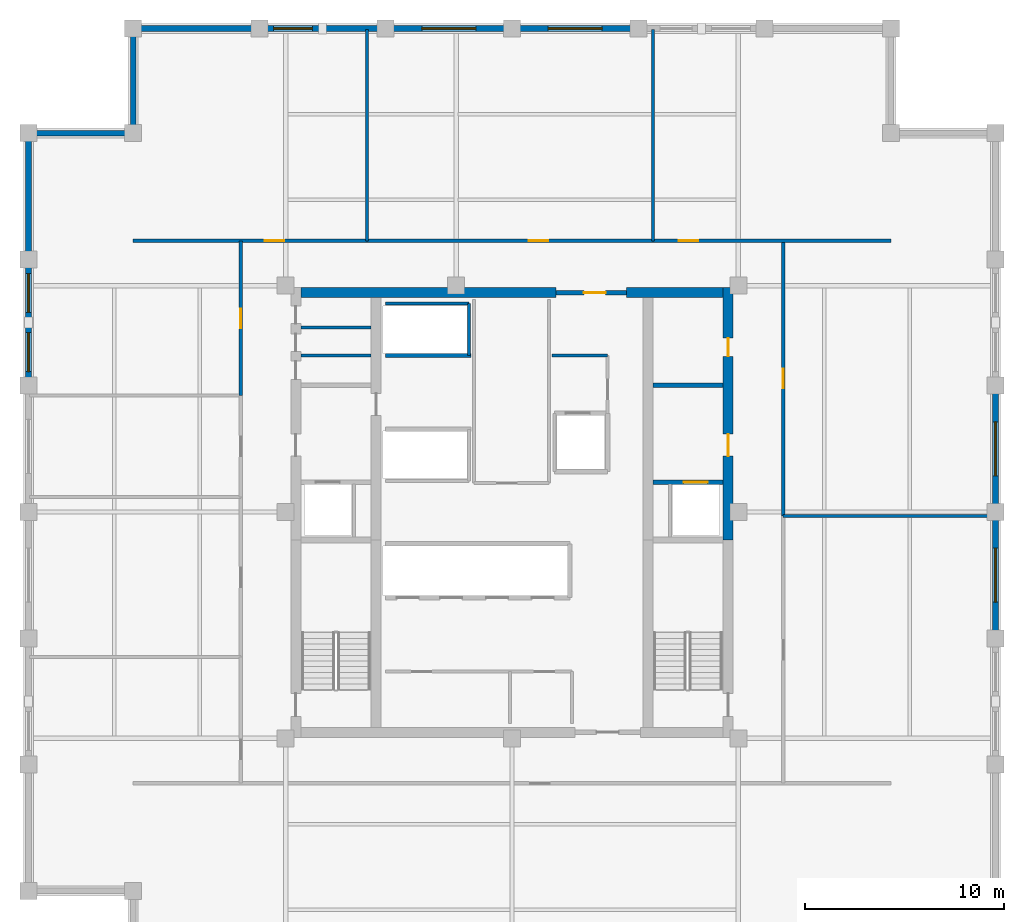
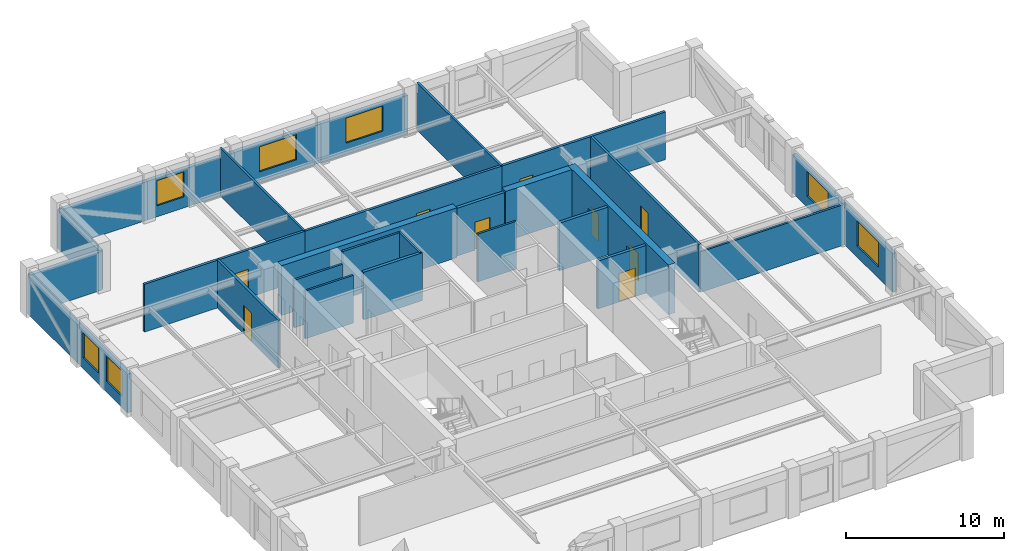
# One storey, part 4 of 6: 30 walls, 9 doors, 7 windows, 16 openings.
"""IFC4 building model written with IfcOpenShell, lengths in metres."""

from ifc_helpers import new_model, si_unit, direction, frame, frame_2d, origin, place, context, subcontext, project, spatial, rectangle, extrude, material, layer, layer_set, type_object, element, fill, save


model = new_model("IFC4")

# Units and contexts
model_context = context("Model", 3, precision=1e-05, world=origin(), true_north=direction((0.0, 1.0)))
body_context = subcontext(model_context, "Body", "Model", "MODEL_VIEW")
ifc_project = project(units=[si_unit("LENGTHUNIT", "METRE"), si_unit("AREAUNIT", "SQUARE_METRE"), si_unit("VOLUMEUNIT", "CUBIC_METRE"), si_unit("PLANEANGLEUNIT", "RADIAN"), si_unit("MASSUNIT", "GRAM", prefix="KILO")], contexts=[model_context])

# Site, building, storey
site_placement = place(None, origin())
site = spatial("IfcSite", under=ifc_project, at=site_placement, CompositionType="ELEMENT")
building_placement = place(site_placement, origin())
building = spatial("IfcBuilding", under=site, at=building_placement, Name="Nhamokura Convention Tower", CompositionType="ELEMENT")
storey_placement = place(building_placement, frame((0.0, 0.0, 194.60009765625)))
storey = spatial("IfcBuildingStorey", under=building, at=storey_placement, Name="L47", CompositionType="ELEMENT", Elevation=194.60009765625)

# Walls
ifc_material_1 = material(Name="Moisture-resistant tile-backer partition", Category="masonry")
ifc_layer_1 = layer(ifc_material_1, 0.139892578125)
ifc_layer_set_1 = layer_set([ifc_layer_1], Name="BathroomWetWall_140")
wall_type_1 = type_object("IfcWallType", Name="BathroomWetWall_140", PredefinedType="STANDARD", material=ifc_layer_set_1)
wall_1_placement = place(storey_placement, frame((21.409912109375, 39.85009765625, 0.0), z_axis=(0.0, 0.0, 1.0), x_axis=(1.0, 0.0, 0.0)))
element("IfcWall", 1, at=wall_1_placement, inside=storey, type_object=wall_type_1, Name="L47 Wall INT-L47-CWNW1", PredefinedType="STANDARD", context=body_context, shape_type="SweptSolid", body=[
    extrude(rectangle(XDim=3.530029296875, YDim=0.139892578125, at=frame_2d((1.76513671875, 0.0))), origin(), (0.0, 0.0, 1.0), 3.684814453125),
])
ifc_material_2 = material(Name="Bronze-pigmented precast concrete C45/55", Category="concrete")
ifc_layer_2 = layer(ifc_material_2, 0.280029296875)
ifc_layer_set_2 = layer_set([ifc_layer_2], Name="BronzePrecastSpandrel_280")
wall_type_2 = type_object("IfcWallType", Name="BronzePrecastSpandrel_280", PredefinedType="USERDEFINED", material=ifc_layer_set_2)
wall_2_placement = place(storey_placement, frame((13.0, 56.25, 0.0), z_axis=(0.0, 0.0, 1.0), x_axis=(1.0, 0.0, 0.0)))
element("IfcWall", 2, at=wall_2_placement, inside=storey, type_object=wall_type_2, Name="L47 Braced-Bay Precast Wall NORTH 0", ObjectType="SPANDREL_WALL", PredefinedType="USERDEFINED", context=body_context, shape_type="SweptSolid", body=[
    extrude(rectangle(XDim=6.333251953125, YDim=0.280029296875, at=frame_2d((3.16650390625, 0.0))), origin(), (0.0, 0.0, 1.0), 2.98486328125),
])

# Wall, opening, window
wall_3_placement = place(storey_placement, frame((19.333251953125, 56.25, 0.0), z_axis=(0.0, 0.0, 1.0), x_axis=(1.0, 0.0, 0.0)))
wall_3 = element("IfcWall", 3, at=wall_3_placement, inside=storey, type_object=wall_type_2, Name="L47 Masonry-Frame Wall NORTH 1", ObjectType="SPANDREL_WALL", PredefinedType="USERDEFINED", context=body_context, shape_type="SweptSolid", body=[
    extrude(rectangle(XDim=6.33349609375, YDim=0.280029296875, at=frame_2d((3.166748046875, 0.0))), origin(), (0.0, 0.0, 1.0), 2.98486328125),
])
opening_1_placement = place(wall_3_placement, frame((0.708251953125, 0.0, 0.85009765625)))
opening_1 = element("IfcOpeningElement", 4, at=opening_1_placement, cuts=wall_3, Name="Opening W-08", PredefinedType="OPENING", context=body_context, shape_type="SweptSolid", body=[
    extrude(rectangle(XDim=1.949951171875, YDim=1.93505859375, at=frame_2d((0.97509765625, 0.967529296875))), frame((0.0, 0.14990234375, 0.0), z_axis=(0.0, -1.0, 0.0), x_axis=(1.0, 0.0, 0.0)), (0.0, 0.0, 1.0), 0.300048828125),
])
ifc_material_3 = material(Name="Solar-control bronze low-E double glass", Category="glass")
window_type_1 = type_object("IfcWindowType", Name="OfficeModuleWindow_Z3_1950", PartitioningType="SINGLE_PANEL", PredefinedType="WINDOW", material=ifc_material_3)
window_1_placement = place(opening_1_placement, origin())
window_1 = element("IfcWindow", 5, at=window_1_placement, inside=storey, type_object=window_type_1, Name="L47 Facade Window NORTH 1-1", OverallHeight=1.93505859375, OverallWidth=1.949951171875, PartitioningType="SINGLE_PANEL", PredefinedType="WINDOW", context=body_context, shape_type="SweptSolid", body=[
    extrude(rectangle(XDim=1.949951171875, YDim=1.93505859375, at=frame_2d((0.97509765625, 0.967529296875))), frame((0.0, 0.030029296875, 0.0), z_axis=(0.0, -1.0, 0.0), x_axis=(1.0, 0.0, 0.0)), (0.0, 0.0, 1.0), 0.06005859375),
])
fill(opening_1, window_1)

wall_4_placement = place(storey_placement, frame((25.666748046875, 56.25, 0.0), z_axis=(0.0, 0.0, 1.0), x_axis=(1.0, 0.0, 0.0)))
wall_4 = element("IfcWall", 6, at=wall_4_placement, inside=storey, type_object=wall_type_2, Name="L47 Masonry-Frame Wall NORTH 2", ObjectType="SPANDREL_WALL", PredefinedType="USERDEFINED", context=body_context, shape_type="SweptSolid", body=[
    extrude(rectangle(XDim=6.333251953125, YDim=0.280029296875, at=frame_2d((3.16650390625, 0.0))), origin(), (0.0, 0.0, 1.0), 2.98486328125),
])
opening_2_placement = place(wall_4_placement, frame((1.816650390625, 0.0, 0.85009765625)))
opening_2 = element("IfcOpeningElement", 7, at=opening_2_placement, cuts=wall_4, Name="Opening W-07", PredefinedType="OPENING", context=body_context, shape_type="SweptSolid", body=[
    extrude(rectangle(XDim=2.699951171875, YDim=1.93505859375, at=frame_2d((1.35009765625, 0.967529296875))), frame((0.0, 0.14990234375, 0.0), z_axis=(0.0, -1.0, 0.0), x_axis=(1.0, 0.0, 0.0)), (0.0, 0.0, 1.0), 0.300048828125),
])
ifc_material_4 = material(Name="Solar-control bronze low-E double glass", Category="glass")
window_type_2 = type_object("IfcWindowType", Name="OfficeModuleWindow_Z3_2700", PartitioningType="DOUBLE_PANEL_VERTICAL", PredefinedType="WINDOW", material=ifc_material_4)
window_2_placement = place(opening_2_placement, origin())
window_2 = element("IfcWindow", 8, at=window_2_placement, inside=storey, type_object=window_type_2, Name="L47 Facade Window NORTH 2", OverallHeight=1.93505859375, OverallWidth=2.699951171875, PartitioningType="SINGLE_PANEL", PredefinedType="WINDOW", context=body_context, shape_type="SweptSolid", body=[
    extrude(rectangle(XDim=2.699951171875, YDim=1.93505859375, at=frame_2d((1.35009765625, 0.967529296875))), frame((0.0, 0.030029296875, 0.0), z_axis=(0.0, -1.0, 0.0), x_axis=(1.0, 0.0, 0.0)), (0.0, 0.0, 1.0), 0.06005859375),
])
fill(opening_2, window_2)

wall_5_placement = place(storey_placement, frame((32.0, 56.25, 0.0), z_axis=(0.0, 0.0, 1.0), x_axis=(1.0, 0.0, 0.0)))
wall_5 = element("IfcWall", 9, at=wall_5_placement, inside=storey, type_object=wall_type_2, Name="L47 Masonry-Frame Wall NORTH 3", ObjectType="SPANDREL_WALL", PredefinedType="USERDEFINED", context=body_context, shape_type="SweptSolid", body=[
    extrude(rectangle(XDim=6.333251953125, YDim=0.280029296875, at=frame_2d((3.16650390625, 0.0))), origin(), (0.0, 0.0, 1.0), 2.98486328125),
])
opening_3_placement = place(wall_5_placement, frame((1.816650390625, 0.0, 0.85009765625)))
opening_3 = element("IfcOpeningElement", 10, at=opening_3_placement, cuts=wall_5, Name="Opening W-07", PredefinedType="OPENING", context=body_context, shape_type="SweptSolid", body=[
    extrude(rectangle(XDim=2.699951171875, YDim=1.93505859375, at=frame_2d((1.35009765625, 0.967529296875))), frame((0.0, 0.14990234375, 0.0), z_axis=(0.0, -1.0, 0.0), x_axis=(1.0, 0.0, 0.0)), (0.0, 0.0, 1.0), 0.300048828125),
])
window_3_placement = place(opening_3_placement, origin())
window_3 = element("IfcWindow", 11, at=window_3_placement, inside=storey, type_object=window_type_2, Name="L47 Facade Window NORTH 3", OverallHeight=1.93505859375, OverallWidth=2.699951171875, PartitioningType="SINGLE_PANEL", PredefinedType="WINDOW", context=body_context, shape_type="SweptSolid", body=[
    extrude(rectangle(XDim=2.699951171875, YDim=1.93505859375, at=frame_2d((1.35009765625, 0.967529296875))), frame((0.0, 0.030029296875, 0.0), z_axis=(0.0, -1.0, 0.0), x_axis=(1.0, 0.0, 0.0)), (0.0, 0.0, 1.0), 0.06005859375),
])
fill(opening_3, window_3)

# Wall, openings, windows
wall_6_placement = place(storey_placement, frame((7.75, 38.333251953125, 0.0), z_axis=(0.0, 0.0, 1.0), x_axis=(0.0, 1.0, 0.0)))
wall_6 = element("IfcWall", 12, at=wall_6_placement, inside=storey, type_object=wall_type_2, Name="L47 Masonry-Frame Wall WEST 4", ObjectType="SPANDREL_WALL", PredefinedType="USERDEFINED", context=body_context, shape_type="SweptSolid", body=[
    extrude(rectangle(XDim=6.33349609375, YDim=0.280029296875, at=frame_2d((3.166748046875, 0.0))), origin(), (0.0, 0.0, 1.0), 2.98486328125),
])
opening_4_placement = place(wall_6_placement, frame((0.708251953125, 0.0, 0.85009765625)))
opening_4 = element("IfcOpeningElement", 13, at=opening_4_placement, cuts=wall_6, Name="Opening W-08", PredefinedType="OPENING", context=body_context, shape_type="SweptSolid", body=[
    extrude(rectangle(XDim=1.949951171875, YDim=1.93505859375, at=frame_2d((0.97509765625, 0.967529296875))), frame((0.0, 0.14990234375, 0.0), z_axis=(0.0, -1.0, 0.0), x_axis=(1.0, 0.0, 0.0)), (0.0, 0.0, 1.0), 0.300048828125),
])
opening_5_placement = place(wall_6_placement, frame((3.675048828125, 0.0, 0.85009765625)))
opening_5 = element("IfcOpeningElement", 14, at=opening_5_placement, cuts=wall_6, Name="Opening W-08", PredefinedType="OPENING", context=body_context, shape_type="SweptSolid", body=[
    extrude(rectangle(XDim=1.949951171875, YDim=1.93505859375, at=frame_2d((0.97509765625, 0.967529296875))), frame((0.0, 0.14990234375, 0.0), z_axis=(0.0, -1.0, 0.0), x_axis=(1.0, 0.0, 0.0)), (0.0, 0.0, 1.0), 0.300048828125),
])
window_4_placement = place(opening_4_placement, origin())
window_4 = element("IfcWindow", 15, at=window_4_placement, inside=storey, type_object=window_type_1, Name="L47 Facade Window WEST 4-1", OverallHeight=1.93505859375, OverallWidth=1.949951171875, PartitioningType="SINGLE_PANEL", PredefinedType="WINDOW", context=body_context, shape_type="SweptSolid", body=[
    extrude(rectangle(XDim=1.949951171875, YDim=1.93505859375, at=frame_2d((0.97509765625, 0.967529296875))), frame((0.0, 0.030029296875, 0.0), z_axis=(0.0, -1.0, 0.0), x_axis=(1.0, 0.0, 0.0)), (0.0, 0.0, 1.0), 0.06005859375),
])
fill(opening_4, window_4)
window_5_placement = place(opening_5_placement, origin())
window_5 = element("IfcWindow", 16, at=window_5_placement, inside=storey, type_object=window_type_1, Name="L47 Facade Window WEST 4-2", OverallHeight=1.93505859375, OverallWidth=1.949951171875, PartitioningType="SINGLE_PANEL", PredefinedType="WINDOW", context=body_context, shape_type="SweptSolid", body=[
    extrude(rectangle(XDim=1.949951171875, YDim=1.93505859375, at=frame_2d((0.97509765625, 0.967529296875))), frame((0.0, 0.030029296875, 0.0), z_axis=(0.0, -1.0, 0.0), x_axis=(1.0, 0.0, 0.0)), (0.0, 0.0, 1.0), 0.06005859375),
])
fill(opening_5, window_5)

# Wall
wall_7_placement = place(storey_placement, frame((7.75, 44.666748046875, 0.0), z_axis=(0.0, 0.0, 1.0), x_axis=(0.0, 1.0, 0.0)))
element("IfcWall", 17, at=wall_7_placement, inside=storey, type_object=wall_type_2, Name="L47 Braced-Bay Precast Wall WEST 5", ObjectType="SPANDREL_WALL", PredefinedType="USERDEFINED", context=body_context, shape_type="SweptSolid", body=[
    extrude(rectangle(XDim=6.333251953125, YDim=0.280029296875, at=frame_2d((3.16650390625, 0.0))), origin(), (0.0, 0.0, 1.0), 2.98486328125),
])

# Wall, opening, window
wall_8_placement = place(storey_placement, frame((56.25, 32.0, 0.0), z_axis=(0.0, 0.0, 1.0), x_axis=(0.0, -1.0, 0.0)))
wall_8 = element("IfcWall", 18, at=wall_8_placement, inside=storey, type_object=wall_type_2, Name="L47 Masonry-Frame Wall EAST 2", ObjectType="SPANDREL_WALL", PredefinedType="USERDEFINED", context=body_context, shape_type="SweptSolid", body=[
    extrude(rectangle(XDim=6.333251953125, YDim=0.280029296875, at=frame_2d((3.16650390625, 0.0))), origin(), (0.0, 0.0, 1.0), 2.98486328125),
])
opening_6_placement = place(wall_8_placement, frame((1.816650390625, 0.0, 0.85009765625)))
opening_6 = element("IfcOpeningElement", 19, at=opening_6_placement, cuts=wall_8, Name="Opening W-07", PredefinedType="OPENING", context=body_context, shape_type="SweptSolid", body=[
    extrude(rectangle(XDim=2.699951171875, YDim=1.93505859375, at=frame_2d((1.35009765625, 0.967529296875))), frame((0.0, 0.14990234375, 0.0), z_axis=(0.0, -1.0, 0.0), x_axis=(1.0, 0.0, 0.0)), (0.0, 0.0, 1.0), 0.300048828125),
])
window_6_placement = place(opening_6_placement, origin())
window_6 = element("IfcWindow", 20, at=window_6_placement, inside=storey, type_object=window_type_2, Name="L47 Facade Window EAST 2", OverallHeight=1.93505859375, OverallWidth=2.699951171875, PartitioningType="SINGLE_PANEL", PredefinedType="WINDOW", context=body_context, shape_type="SweptSolid", body=[
    extrude(rectangle(XDim=2.699951171875, YDim=1.93505859375, at=frame_2d((1.35009765625, 0.967529296875))), frame((0.0, 0.030029296875, 0.0), z_axis=(0.0, -1.0, 0.0), x_axis=(1.0, 0.0, 0.0)), (0.0, 0.0, 1.0), 0.06005859375),
])
fill(opening_6, window_6)

wall_9_placement = place(storey_placement, frame((56.25, 38.333251953125, 0.0), z_axis=(0.0, 0.0, 1.0), x_axis=(0.0, -1.0, 0.0)))
wall_9 = element("IfcWall", 21, at=wall_9_placement, inside=storey, type_object=wall_type_2, Name="L47 Masonry-Frame Wall EAST 3", ObjectType="SPANDREL_WALL", PredefinedType="USERDEFINED", context=body_context, shape_type="SweptSolid", body=[
    extrude(rectangle(XDim=6.333251953125, YDim=0.280029296875, at=frame_2d((3.16650390625, 0.0))), origin(), (0.0, 0.0, 1.0), 2.98486328125),
])
opening_7_placement = place(wall_9_placement, frame((1.816650390625, 0.0, 0.85009765625)))
opening_7 = element("IfcOpeningElement", 22, at=opening_7_placement, cuts=wall_9, Name="Opening W-07", PredefinedType="OPENING", context=body_context, shape_type="SweptSolid", body=[
    extrude(rectangle(XDim=2.699951171875, YDim=1.93505859375, at=frame_2d((1.35009765625, 0.967529296875))), frame((0.0, 0.14990234375, 0.0), z_axis=(0.0, -1.0, 0.0), x_axis=(1.0, 0.0, 0.0)), (0.0, 0.0, 1.0), 0.300048828125),
])
window_7_placement = place(opening_7_placement, origin())
window_7 = element("IfcWindow", 23, at=window_7_placement, inside=storey, type_object=window_type_2, Name="L47 Facade Window EAST 3", OverallHeight=1.93505859375, OverallWidth=2.699951171875, PartitioningType="SINGLE_PANEL", PredefinedType="WINDOW", context=body_context, shape_type="SweptSolid", body=[
    extrude(rectangle(XDim=2.699951171875, YDim=1.93505859375, at=frame_2d((1.35009765625, 0.967529296875))), frame((0.0, 0.030029296875, 0.0), z_axis=(0.0, -1.0, 0.0), x_axis=(1.0, 0.0, 0.0)), (0.0, 0.0, 1.0), 0.06005859375),
])
fill(opening_7, window_7)

# Walls
for number, where, z_axis, x_axis, name in (
    (24, (13.0, 51.0, 0.0), (0.0, 0.0, 1.0), (0.0, 1.0, 0.0), "L47 Notched Corner Wall NW1"),
    (25, (7.75, 51.0, 0.0), (0.0, 0.0, 1.0), (1.0, 0.0, 0.0), "L47 Notched Corner Wall NW2"),
):
    element("IfcWall", number, at=place(storey_placement, frame(where, z_axis=z_axis, x_axis=x_axis)), inside=storey, type_object=wall_type_2, Name=name, ObjectType="SPANDREL_WALL", PredefinedType="USERDEFINED", context=body_context, shape_type="SweptSolid", body=[
        extrude(rectangle(XDim=5.25, YDim=0.280029296875, at=frame_2d((2.625, 0.0))), origin(), (0.0, 0.0, 1.0), 2.98486328125),
    ])

# Wall, openings, doors
ifc_material_5 = material(Name="Concrete C60/75", Category="concrete")
ifc_layer_3 = layer(ifc_material_5, 0.5)
ifc_layer_set_3 = layer_set([ifc_layer_3], Name="CoreShearWall_500")
wall_type_3 = type_object("IfcWallType", Name="CoreShearWall_500", PredefinedType="SHEAR", material=ifc_layer_set_3)
wall_10_placement = place(storey_placement, frame((42.840087890625, 30.60009765625, 0.0), z_axis=(0.0, 0.0, 1.0), x_axis=(0.0, 1.0, 0.0)))
wall_10 = element("IfcWall", 26, at=wall_10_placement, inside=storey, type_object=wall_type_3, Name="L47 Core Shear Wall CW-EN", PredefinedType="SHEAR", context=body_context, shape_type="SweptSolid", body=[
    extrude(rectangle(XDim=12.64990234375, YDim=0.5, at=frame_2d((6.324951171875, 0.0))), origin(), (0.0, 0.0, 1.0), 3.849853515625),
])
opening_8_placement = place(wall_10_placement, frame((4.199951171875, 0.0, 0.0)))
opening_8 = element("IfcOpeningElement", 27, at=opening_8_placement, cuts=wall_10, Name="Opening D-05", PredefinedType="OPENING", context=body_context, shape_type="SweptSolid", body=[
    extrude(rectangle(XDim=1.10009765625, YDim=2.14990234375, at=frame_2d((0.550048828125, 1.074951171875))), frame((0.0, 0.260009765625, 0.0), z_axis=(0.0, -1.0, 0.0), x_axis=(1.0, 0.0, 0.0)), (0.0, 0.0, 1.0), 0.52001953125),
])
opening_9_placement = place(wall_10_placement, frame((9.199951171875, 0.0, 0.0)))
opening_9 = element("IfcOpeningElement", 28, at=opening_9_placement, cuts=wall_10, Name="Opening D-10", PredefinedType="OPENING", context=body_context, shape_type="SweptSolid", body=[
    extrude(rectangle(XDim=0.919921875, YDim=2.10009765625, at=frame_2d((0.4599609375, 1.050048828125))), frame((0.0, 0.260009765625, 0.0), z_axis=(0.0, -1.0, 0.0), x_axis=(1.0, 0.0, 0.0)), (0.0, 0.0, 1.0), 0.52001953125),
])
ifc_material_6 = material(Name="Solid oak hardwood", Category="wood")
door_type_1 = type_object("IfcDoorType", Name="AccessibleWCDoor_920", OperationType="NOTDEFINED", PredefinedType="DOOR", material=ifc_material_6)
door_1_placement = place(opening_9_placement, origin())
door_1 = element("IfcDoor", 29, at=door_1_placement, inside=storey, type_object=door_type_1, Name="L47 Core Door INT-L47-D-UWC", OperationType="SINGLE_SWING_RIGHT", OverallHeight=2.10009765625, OverallWidth=0.919921875, PredefinedType="DOOR", context=body_context, shape_type="SweptSolid", body=[
    extrude(rectangle(XDim=0.919921875, YDim=2.10009765625, at=frame_2d((0.4599609375, 1.050048828125))), frame((0.0, 0.02490234375, 0.0), z_axis=(0.0, -1.0, 0.0), x_axis=(1.0, 0.0, 0.0)), (0.0, 0.0, 1.0), 0.050048828125),
])
fill(opening_9, door_1)
ifc_material_7 = material(Name="Fire-rated steel door", Category="steel")
door_type_2 = type_object("IfcDoorType", Name="FireLobbyDoor_1100", OperationType="NOTDEFINED", PredefinedType="DOOR", material=ifc_material_7)
door_2_placement = place(opening_8_placement, origin())
door_2 = element("IfcDoor", 30, at=door_2_placement, inside=storey, type_object=door_type_2, Name="L47 Core Door INT-L47-D-FFLE", OperationType="SINGLE_SWING_LEFT", OverallHeight=2.14990234375, OverallWidth=1.10009765625, PredefinedType="DOOR", context=body_context, shape_type="SweptSolid", body=[
    extrude(rectangle(XDim=1.10009765625, YDim=2.14990234375, at=frame_2d((0.550048828125, 1.074951171875))), frame((0.0, 0.02490234375, 0.0), z_axis=(0.0, -1.0, 0.0), x_axis=(1.0, 0.0, 0.0)), (0.0, 0.0, 1.0), 0.050048828125),
])
fill(opening_8, door_2)

# Walls
wall_11_placement = place(storey_placement, frame((21.409912109375, 43.0, 0.0), z_axis=(0.0, 0.0, 1.0), x_axis=(1.0, 0.0, 0.0)))
element("IfcWall", 31, at=wall_11_placement, inside=storey, type_object=wall_type_3, Name="L47 Core Shear Wall CW-N1", PredefinedType="SHEAR", context=body_context, shape_type="SweptSolid", body=[
    extrude(rectangle(XDim=12.7900390625, YDim=0.5, at=frame_2d((6.39501953125, 0.0))), origin(), (0.0, 0.0, 1.0), 3.849853515625),
])
wall_12_placement = place(storey_placement, frame((37.75, 43.0, 0.0), z_axis=(0.0, 0.0, 1.0), x_axis=(1.0, 0.0, 0.0)))
element("IfcWall", 32, at=wall_12_placement, inside=storey, type_object=wall_type_3, Name="L47 Core Shear Wall CW-N2", PredefinedType="SHEAR", context=body_context, shape_type="SweptSolid", body=[
    extrude(rectangle(XDim=4.840087890625, YDim=0.5, at=frame_2d((2.419921875, 0.0))), origin(), (0.0, 0.0, 1.0), 3.849853515625),
])

# Wall, opening, door
ifc_material_8 = material(Name="Fire-rated gypsum and masonry partition", Category="masonry")
ifc_layer_4 = layer(ifc_material_8, 0.179931640625)
ifc_layer_set_4 = layer_set([ifc_layer_4], Name="CorridorRatedWall_180")
wall_type_4 = type_object("IfcWallType", Name="CorridorRatedWall_180", PredefinedType="STANDARD", material=ifc_layer_set_4)
wall_13_placement = place(storey_placement, frame((13.0, 45.60009765625, 0.0), z_axis=(0.0, 0.0, 1.0), x_axis=(1.0, 0.0, 0.0)))
wall_13 = element("IfcWall", 33, at=wall_13_placement, inside=storey, type_object=wall_type_4, Name="L47 Wall INT-L47-CW-N00", PredefinedType="STANDARD", context=body_context, shape_type="SweptSolid", body=[
    extrude(rectangle(XDim=11.716796875, YDim=0.179931640625, at=frame_2d((5.8583984375, 0.0))), origin(), (0.0, 0.0, 1.0), 3.684814453125),
])
opening_10_placement = place(wall_13_placement, frame((6.6083984375, 0.0, 0.0)))
opening_10 = element("IfcOpeningElement", 34, at=opening_10_placement, cuts=wall_13, Name="Opening D-08", PredefinedType="OPENING", context=body_context, shape_type="SweptSolid", body=[
    extrude(rectangle(XDim=0.97998046875, YDim=2.199951171875, at=frame_2d((0.489990234375, 1.10009765625))), frame((0.0, 0.099853515625, 0.0), z_axis=(0.0, -1.0, 0.0), x_axis=(1.0, 0.0, 0.0)), (0.0, 0.0, 1.0), 0.199951171875),
])
ifc_material_9 = material(Name="Solid oak hardwood", Category="wood")
door_type_3 = type_object("IfcDoorType", Name="OfficeEntryDoor_980", OperationType="NOTDEFINED", PredefinedType="DOOR", material=ifc_material_9)
door_3_placement = place(opening_10_placement, origin())
door_3 = element("IfcDoor", 35, at=door_3_placement, inside=storey, type_object=door_type_3, Name="L47 Risk Laboratory N01 Door", OperationType="SINGLE_SWING_LEFT", OverallHeight=2.199951171875, OverallWidth=0.97998046875, PredefinedType="DOOR", context=body_context, shape_type="SweptSolid", body=[
    extrude(rectangle(XDim=0.97998046875, YDim=2.199951171875, at=frame_2d((0.489990234375, 1.10009765625))), frame((0.0, 0.02490234375, 0.0), z_axis=(0.0, -1.0, 0.0), x_axis=(1.0, 0.0, 0.0)), (0.0, 0.0, 1.0), 0.050048828125),
])
fill(opening_10, door_3)

wall_14_placement = place(storey_placement, frame((24.716796875, 45.60009765625, 0.0), z_axis=(0.0, 0.0, 1.0), x_axis=(1.0, 0.0, 0.0)))
wall_14 = element("IfcWall", 36, at=wall_14_placement, inside=storey, type_object=wall_type_4, Name="L47 Wall INT-L47-CW-N01", PredefinedType="STANDARD", context=body_context, shape_type="SweptSolid", body=[
    extrude(rectangle(XDim=14.366455078125, YDim=0.179931640625, at=frame_2d((7.18310546875, 0.0))), origin(), (0.0, 0.0, 1.0), 3.684814453125),
])
opening_11_placement = place(wall_14_placement, frame((8.13330078125, 0.0, 0.0)))
opening_11 = element("IfcOpeningElement", 37, at=opening_11_placement, cuts=wall_14, Name="Opening D-08", PredefinedType="OPENING", context=body_context, shape_type="SweptSolid", body=[
    extrude(rectangle(XDim=0.97998046875, YDim=2.199951171875, at=frame_2d((0.489990234375, 1.10009765625))), frame((0.0, 0.099853515625, 0.0), z_axis=(0.0, -1.0, 0.0), x_axis=(1.0, 0.0, 0.0)), (0.0, 0.0, 1.0), 0.199951171875),
])
door_4_placement = place(opening_11_placement, origin())
door_4 = element("IfcDoor", 38, at=door_4_placement, inside=storey, type_object=door_type_3, Name="L47 Boardroom N02 Door", OperationType="SINGLE_SWING_RIGHT", OverallHeight=2.199951171875, OverallWidth=0.97998046875, PredefinedType="DOOR", context=body_context, shape_type="SweptSolid", body=[
    extrude(rectangle(XDim=0.97998046875, YDim=2.199951171875, at=frame_2d((0.489990234375, 1.10009765625))), frame((0.0, 0.02490234375, 0.0), z_axis=(0.0, -1.0, 0.0), x_axis=(1.0, 0.0, 0.0)), (0.0, 0.0, 1.0), 0.050048828125),
])
fill(opening_11, door_4)

wall_15_placement = place(storey_placement, frame((39.083251953125, 45.60009765625, 0.0), z_axis=(0.0, 0.0, 1.0), x_axis=(1.0, 0.0, 0.0)))
wall_15 = element("IfcWall", 39, at=wall_15_placement, inside=storey, type_object=wall_type_4, Name="L47 Wall INT-L47-CW-N02", PredefinedType="STANDARD", context=body_context, shape_type="SweptSolid", body=[
    extrude(rectangle(XDim=11.916748046875, YDim=0.179931640625, at=frame_2d((5.95849609375, 0.0))), origin(), (0.0, 0.0, 1.0), 3.684814453125),
])
opening_12_placement = place(wall_15_placement, frame((1.283203125, 0.0, 0.0)))
opening_12 = element("IfcOpeningElement", 40, at=opening_12_placement, cuts=wall_15, Name="Opening D-08", PredefinedType="OPENING", context=body_context, shape_type="SweptSolid", body=[
    extrude(rectangle(XDim=0.97998046875, YDim=2.199951171875, at=frame_2d((0.489990234375, 1.10009765625))), frame((0.0, 0.099853515625, 0.0), z_axis=(0.0, -1.0, 0.0), x_axis=(1.0, 0.0, 0.0)), (0.0, 0.0, 1.0), 0.199951171875),
])
door_5_placement = place(opening_12_placement, origin())
door_5 = element("IfcDoor", 41, at=door_5_placement, inside=storey, type_object=door_type_3, Name="L47 Private Office N03 Door", OperationType="SINGLE_SWING_LEFT", OverallHeight=2.199951171875, OverallWidth=0.97998046875, PredefinedType="DOOR", context=body_context, shape_type="SweptSolid", body=[
    extrude(rectangle(XDim=0.97998046875, YDim=2.199951171875, at=frame_2d((0.489990234375, 1.10009765625))), frame((0.0, 0.02490234375, 0.0), z_axis=(0.0, -1.0, 0.0), x_axis=(1.0, 0.0, 0.0)), (0.0, 0.0, 1.0), 0.050048828125),
])
fill(opening_12, door_5)

wall_16_placement = place(storey_placement, frame((18.39990234375, 37.833251953125, 0.0), z_axis=(0.0, 0.0, 1.0), x_axis=(0.0, 1.0, 0.0)))
wall_16 = element("IfcWall", 42, at=wall_16_placement, inside=storey, type_object=wall_type_4, Name="L47 Wall INT-L47-CW-W03", PredefinedType="STANDARD", context=body_context, shape_type="SweptSolid", body=[
    extrude(rectangle(XDim=7.766845703125, YDim=0.179931640625, at=frame_2d((3.88330078125, 0.0))), origin(), (0.0, 0.0, 1.0), 3.684814453125),
])
opening_13_placement = place(wall_16_placement, frame((3.38330078125, 0.0, 0.0)))
opening_13 = element("IfcOpeningElement", 43, at=opening_13_placement, cuts=wall_16, Name="Opening D-08", PredefinedType="OPENING", context=body_context, shape_type="SweptSolid", body=[
    extrude(rectangle(XDim=0.97998046875, YDim=2.199951171875, at=frame_2d((0.489990234375, 1.10009765625))), frame((0.0, 0.099853515625, 0.0), z_axis=(0.0, -1.0, 0.0), x_axis=(1.0, 0.0, 0.0)), (0.0, 0.0, 1.0), 0.199951171875),
])
door_6_placement = place(opening_13_placement, origin())
door_6 = element("IfcDoor", 44, at=door_6_placement, inside=storey, type_object=door_type_3, Name="L47 Private Office W04 Door", OperationType="SINGLE_SWING_RIGHT", OverallHeight=2.199951171875, OverallWidth=0.97998046875, PredefinedType="DOOR", context=body_context, shape_type="SweptSolid", body=[
    extrude(rectangle(XDim=0.97998046875, YDim=2.199951171875, at=frame_2d((0.489990234375, 1.10009765625))), frame((0.0, 0.02490234375, 0.0), z_axis=(0.0, -1.0, 0.0), x_axis=(1.0, 0.0, 0.0)), (0.0, 0.0, 1.0), 0.050048828125),
])
fill(opening_13, door_6)

wall_17_placement = place(storey_placement, frame((45.60009765625, 31.800048828125, 0.0), z_axis=(0.0, 0.0, 1.0), x_axis=(0.0, 1.0, 0.0)))
wall_17 = element("IfcWall", 45, at=wall_17_placement, inside=storey, type_object=wall_type_4, Name="L47 Wall INT-L47-CW-E01", PredefinedType="STANDARD", context=body_context, shape_type="SweptSolid", body=[
    extrude(rectangle(XDim=13.800048828125, YDim=0.179931640625, at=frame_2d((6.89990234375, 0.0))), origin(), (0.0, 0.0, 1.0), 3.684814453125),
])
opening_14_placement = place(wall_17_placement, frame((6.39990234375, 0.0, 0.0)))
opening_14 = element("IfcOpeningElement", 46, at=opening_14_placement, cuts=wall_17, Name="Opening D-08", PredefinedType="OPENING", context=body_context, shape_type="SweptSolid", body=[
    extrude(rectangle(XDim=0.97998046875, YDim=2.199951171875, at=frame_2d((0.489990234375, 1.10009765625))), frame((0.0, 0.099853515625, 0.0), z_axis=(0.0, -1.0, 0.0), x_axis=(1.0, 0.0, 0.0)), (0.0, 0.0, 1.0), 0.199951171875),
])
door_7_placement = place(opening_14_placement, origin())
door_7 = element("IfcDoor", 47, at=door_7_placement, inside=storey, type_object=door_type_3, Name="L47 Collaboration Lounge E02 Door", OperationType="SINGLE_SWING_RIGHT", OverallHeight=2.199951171875, OverallWidth=0.97998046875, PredefinedType="DOOR", context=body_context, shape_type="SweptSolid", body=[
    extrude(rectangle(XDim=0.97998046875, YDim=2.199951171875, at=frame_2d((0.489990234375, 1.10009765625))), frame((0.0, 0.02490234375, 0.0), z_axis=(0.0, -1.0, 0.0), x_axis=(1.0, 0.0, 0.0)), (0.0, 0.0, 1.0), 0.050048828125),
])
fill(opening_14, door_7)

ifc_material_10 = material(Name="Autoclaved concrete blockwork", Category="masonry")
ifc_layer_5 = layer(ifc_material_10, 0.219970703125)
ifc_layer_set_5 = layer_set([ifc_layer_5], Name="FireLobbyWall_220")
wall_type_5 = type_object("IfcWallType", Name="FireLobbyWall_220", PredefinedType="STANDARD", material=ifc_layer_set_5)
wall_18_placement = place(storey_placement, frame((39.06005859375, 33.5, 0.0), z_axis=(0.0, 0.0, 1.0), x_axis=(1.0, 0.0, 0.0)))
wall_18 = element("IfcWall", 48, at=wall_18_placement, inside=storey, type_object=wall_type_5, Name="L47 Wall INT-L47-FFE-S", PredefinedType="STANDARD", context=body_context, shape_type="SweptSolid", body=[
    extrude(rectangle(XDim=3.530029296875, YDim=0.219970703125, at=frame_2d((1.76513671875, 0.0))), origin(), (0.0, 0.0, 1.0), 3.684814453125),
])
opening_15_placement = place(wall_18_placement, frame((1.550048828125, 0.0, 0.0)))
opening_15 = element("IfcOpeningElement", 49, at=opening_15_placement, cuts=wall_18, Name="Opening LD-02", PredefinedType="OPENING", context=body_context, shape_type="SweptSolid", body=[
    extrude(rectangle(XDim=1.199951171875, YDim=2.199951171875, at=frame_2d((0.60009765625, 1.10009765625))), frame((0.0, 0.119873046875, 0.0), z_axis=(0.0, -1.0, 0.0), x_axis=(1.0, 0.0, 0.0)), (0.0, 0.0, 1.0), 0.239990234375),
])
ifc_material_11 = material(Name="Anodised bronze stainless steel", Category="steel")
door_type_4 = type_object("IfcDoorType", Name="LiftLandingDoor_FireService", OperationType="DOUBLE_DOOR_SLIDING", PredefinedType="DOOR", material=ifc_material_11)
door_8_placement = place(opening_15_placement, origin())
door_8 = element("IfcDoor", 50, at=door_8_placement, inside=storey, type_object=door_type_4, Name="L47 Firefighting Lift LF-02 Door", OperationType="DOUBLE_DOOR_SLIDING", OverallHeight=2.199951171875, OverallWidth=1.199951171875, PredefinedType="DOOR", context=body_context, shape_type="SweptSolid", body=[
    extrude(rectangle(XDim=1.199951171875, YDim=2.199951171875, at=frame_2d((0.60009765625, 1.10009765625))), frame((0.0, 0.02490234375, 0.0), z_axis=(0.0, -1.0, 0.0), x_axis=(1.0, 0.0, 0.0)), (0.0, 0.0, 1.0), 0.050048828125),
])
fill(opening_15, door_8)

# Walls
wall_19_placement = place(storey_placement, frame((39.06005859375, 38.35009765625, 0.0), z_axis=(0.0, 0.0, 1.0), x_axis=(1.0, 0.0, 0.0)))
element("IfcWall", 51, at=wall_19_placement, inside=storey, type_object=wall_type_5, Name="L47 Wall INT-L47-FFE-N", PredefinedType="STANDARD", context=body_context, shape_type="SweptSolid", body=[
    extrude(rectangle(XDim=3.530029296875, YDim=0.219970703125, at=frame_2d((1.76513671875, 0.0))), origin(), (0.0, 0.0, 1.0), 3.684814453125),
])
wall_20_placement = place(storey_placement, frame((25.64990234375, 39.85009765625, 0.0), z_axis=(0.0, 0.0, 1.0), x_axis=(1.0, 0.0, 0.0)))
element("IfcWall", 52, at=wall_20_placement, inside=storey, type_object=wall_type_5, Name="L47 Wall INT-L47-B3N", PredefinedType="STANDARD", context=body_context, shape_type="SweptSolid", body=[
    extrude(rectangle(XDim=4.300048828125, YDim=0.219970703125, at=frame_2d((2.14990234375, 0.0))), origin(), (0.0, 0.0, 1.0), 3.684814453125),
])

# Wall, opening, door
wall_21_placement = place(storey_placement, frame((34.199951171875, 43.0, 0.0), z_axis=(0.0, 0.0, 1.0), x_axis=(1.0, 0.0, 0.0)))
wall_21 = element("IfcWall", 53, at=wall_21_placement, inside=storey, type_object=wall_type_5, Name="L47 Wall INT-L47-CPORT-N", PredefinedType="STANDARD", context=body_context, shape_type="SweptSolid", body=[
    extrude(rectangle(XDim=3.550048828125, YDim=0.219970703125, at=frame_2d((1.77490234375, 0.0))), origin(), (0.0, 0.0, 1.0), 3.684814453125),
])
opening_16_placement = place(wall_21_placement, frame((1.39990234375, 0.0, 0.0)))
opening_16 = element("IfcOpeningElement", 54, at=opening_16_placement, cuts=wall_21, Name="Opening D-05", PredefinedType="OPENING", context=body_context, shape_type="SweptSolid", body=[
    extrude(rectangle(XDim=1.10009765625, YDim=2.14990234375, at=frame_2d((0.550048828125, 1.074951171875))), frame((0.0, 0.119873046875, 0.0), z_axis=(0.0, -1.0, 0.0), x_axis=(1.0, 0.0, 0.0)), (0.0, 0.0, 1.0), 0.239990234375),
])
door_9_placement = place(opening_16_placement, origin())
door_9 = element("IfcDoor", 55, at=door_9_placement, inside=storey, type_object=door_type_2, Name="L47 North Core Lobby Portal Door", OperationType="SINGLE_SWING_RIGHT", OverallHeight=2.14990234375, OverallWidth=1.10009765625, PredefinedType="DOOR", context=body_context, shape_type="SweptSolid", body=[
    extrude(rectangle(XDim=1.10009765625, YDim=2.14990234375, at=frame_2d((0.550048828125, 1.074951171875))), frame((0.0, 0.02490234375, 0.0), z_axis=(0.0, -1.0, 0.0), x_axis=(1.0, 0.0, 0.0)), (0.0, 0.0, 1.0), 0.050048828125),
])
fill(opening_16, door_9)

# Walls
ifc_material_12 = material(Name="Acoustic gypsum stud partition", Category="masonry")
ifc_layer_6 = layer(ifc_material_12, 0.14990234375)
ifc_layer_set_6 = layer_set([ifc_layer_6], Name="InteriorPartition_150")
wall_type_6 = type_object("IfcWallType", Name="InteriorPartition_150", PredefinedType="STANDARD", material=ifc_layer_set_6)
wall_22_placement = place(storey_placement, frame((21.409912109375, 41.25, 0.0), z_axis=(0.0, 0.0, 1.0), x_axis=(1.0, 0.0, 0.0)))
element("IfcWall", 56, at=wall_22_placement, inside=storey, type_object=wall_type_6, Name="L47 Wall INT-L47-CWNW2", PredefinedType="STANDARD", context=body_context, shape_type="SweptSolid", body=[
    extrude(rectangle(XDim=3.530029296875, YDim=0.14990234375, at=frame_2d((1.76513671875, 0.0))), origin(), (0.0, 0.0, 1.0), 3.684814453125),
])
wall_23_placement = place(storey_placement, frame((34.0, 39.85009765625, 0.0), z_axis=(0.0, 0.0, 1.0), x_axis=(1.0, 0.0, 0.0)))
element("IfcWall", 57, at=wall_23_placement, inside=storey, type_object=wall_type_6, Name="L47 Wall INT-L47-NE-TELN", PredefinedType="STANDARD", context=body_context, shape_type="SweptSolid", body=[
    extrude(rectangle(XDim=2.800048828125, YDim=0.14990234375, at=frame_2d((1.39990234375, 0.0))), origin(), (0.0, 0.0, 1.0), 3.684814453125),
])
wall_24_placement = place(storey_placement, frame((25.64990234375, 42.449951171875, 0.0), z_axis=(0.0, 0.0, 1.0), x_axis=(1.0, 0.0, 0.0)))
element("IfcWall", 58, at=wall_24_placement, inside=storey, type_object=wall_type_6, Name="L47 Wall INT-L47-B3B-N", PredefinedType="STANDARD", context=body_context, shape_type="SweptSolid", body=[
    extrude(rectangle(XDim=4.2001953125, YDim=0.14990234375, at=frame_2d((2.10009765625, 0.0))), origin(), (0.0, 0.0, 1.0), 3.684814453125),
])
wall_25_placement = place(storey_placement, frame((29.85009765625, 39.85009765625, 0.0), z_axis=(0.0, 0.0, 1.0), x_axis=(0.0, 1.0, 0.0)))
element("IfcWall", 59, at=wall_25_placement, inside=storey, type_object=wall_type_6, Name="L47 Wall INT-L47-B3B-E", PredefinedType="STANDARD", context=body_context, shape_type="SweptSolid", body=[
    extrude(rectangle(XDim=2.599853515625, YDim=0.14990234375, at=frame_2d((1.2998046875, 0.0))), origin(), (0.0, 0.0, 1.0), 3.684814453125),
])
for number, where, z_axis, x_axis, name in (
    (60, (24.716796875, 45.60009765625, 0.0), (0.0, 0.0, 1.0), (0.0, 1.0, 0.0), "L47 Wall INT-L47-RW-N01"),
    (61, (39.083251953125, 45.60009765625, 0.0), (0.0, 0.0, 1.0), (0.0, 1.0, 0.0), "L47 Wall INT-L47-RW-N02"),
):
    element("IfcWall", number, at=place(storey_placement, frame(where, z_axis=z_axis, x_axis=x_axis)), inside=storey, type_object=wall_type_6, Name=name, PredefinedType="STANDARD", context=body_context, shape_type="SweptSolid", body=[
        extrude(rectangle(XDim=10.58984375, YDim=0.14990234375, at=frame_2d((5.294921875, 0.0))), origin(), (0.0, 0.0, 1.0), 3.684814453125),
    ])
wall_26_placement = place(storey_placement, frame((45.60009765625, 31.800048828125, 0.0), z_axis=(0.0, 0.0, 1.0), x_axis=(1.0, 0.0, 0.0)))
element("IfcWall", 62, at=wall_26_placement, inside=storey, type_object=wall_type_6, Name="L47 Wall INT-L47-RW-E01", PredefinedType="STANDARD", context=body_context, shape_type="SweptSolid", body=[
    extrude(rectangle(XDim=10.58984375, YDim=0.14990234375, at=frame_2d((5.294921875, 0.0))), origin(), (0.0, 0.0, 1.0), 3.1337890625),
])

save(model, "model.ifc")
